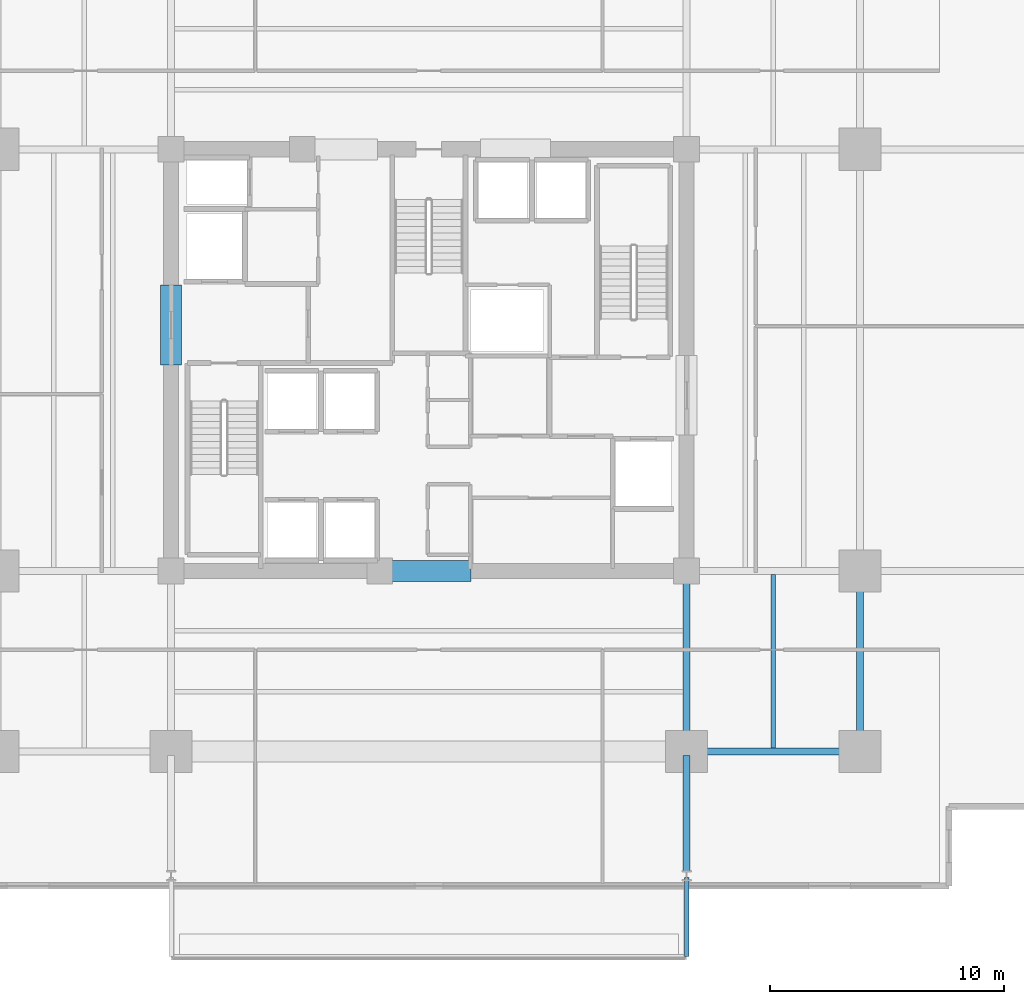
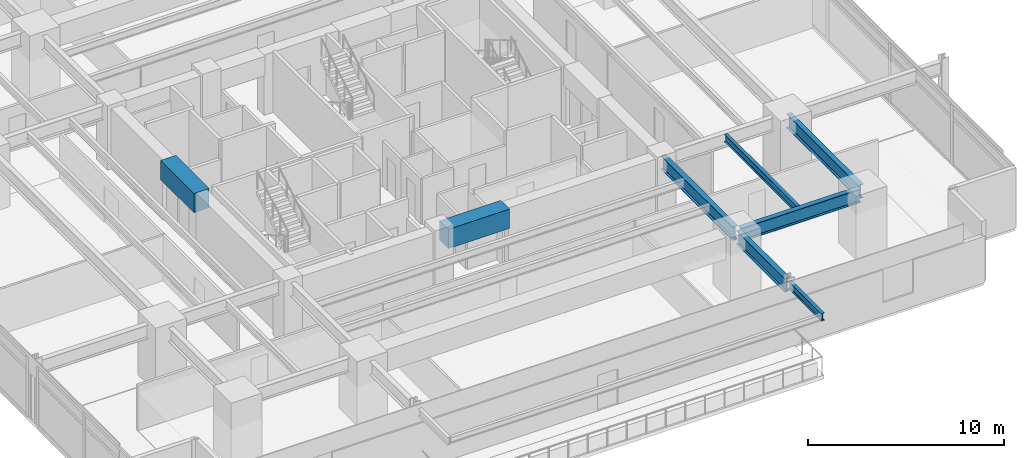
# One storey, part 7 of 25: 8 beams.
"""IFC4 building model written with IfcOpenShell, lengths in metres."""

from ifc_helpers import new_model, si_unit, direction, frame, origin, origin_2d, place, context, subcontext, project, spatial, rectangle, i_section, extrude, material, material_profile, profile_set, type_object, element, save


model = new_model("IFC4")

# Units and contexts
model_context = context("Model", 3, precision=1e-05, world=origin(), true_north=direction((0.0, 1.0)))
body_context = subcontext(model_context, "Body", "Model", "MODEL_VIEW")
ifc_project = project(units=[si_unit("LENGTHUNIT", "METRE"), si_unit("AREAUNIT", "SQUARE_METRE"), si_unit("VOLUMEUNIT", "CUBIC_METRE"), si_unit("PLANEANGLEUNIT", "RADIAN"), si_unit("MASSUNIT", "GRAM", prefix="KILO")], contexts=[model_context])

# Site, building, storey
site_placement = place(None, origin())
site = spatial("IfcSite", under=ifc_project, at=site_placement, CompositionType="ELEMENT")
building_placement = place(site_placement, origin())
building = spatial("IfcBuilding", under=site, at=building_placement, Name="Kovane Verandah Tower", CompositionType="ELEMENT")
storey_placement = place(building_placement, frame((0.0, 0.0, 67.60009765625)))
storey = spatial("IfcBuildingStorey", under=building, at=storey_placement, Name="L15", CompositionType="ELEMENT", Elevation=67.60009765625)

# Beams
ifc_material_1 = material(Name="Concrete C80/95", Category="concrete")
ifc_material_profile_1 = material_profile(ifc_material_1, rectangle(XDim=0.89990234375, YDim=1.199951171875, at=origin_2d()), Name="RCB900x1200")
ifc_profile_set_1 = profile_set([ifc_material_profile_1], Name="Concrete C80/95")
beam_type_1 = type_object("IfcBeamType", Name="BM-LINTEL-900x1200", PredefinedType="LINTEL", material=ifc_profile_set_1)
beam_1_placement = place(storey_placement, frame((38.199951171875, 18.5, 3.159912109375), z_axis=(1.0, 0.0, 0.0), x_axis=(0.0, 1.0, 0.0)))
element("IfcBeam", 1, at=beam_1_placement, inside=storey, type_object=beam_type_1, Name="L15 Core Coupling Lintel CL-S", PredefinedType="LINTEL", context=body_context, shape_type="SweptSolid", body=[
    extrude(rectangle(XDim=0.89990234375, YDim=1.199951171875, at=origin_2d()), origin(), (0.0, 0.0, 1.0), 3.60009765625),
])
beam_2_placement = place(storey_placement, frame((29.0, 27.300048828125, 3.159912109375), z_axis=(0.0, 1.0, 0.0), x_axis=(-1.0, 0.0, 0.0)))
element("IfcBeam", 2, at=beam_2_placement, inside=storey, type_object=beam_type_1, Name="L15 Core Coupling Lintel CL-W", PredefinedType="LINTEL", context=body_context, shape_type="SweptSolid", body=[
    extrude(rectangle(XDim=0.89990234375, YDim=1.199951171875, at=origin_2d()), origin(), (0.0, 0.0, 1.0), 3.39990234375),
])
ifc_material_2 = material(Name="Steel S355", Category="steel")
ifc_material_profile_2 = material_profile(ifc_material_2, i_section(OverallWidth=0.293701171875, OverallDepth=0.850830078125, WebThickness=0.01611328125, FlangeThickness=0.02685546875, FilletRadius=0.017822265625, at=origin_2d()), Name="UB838x292x226")
ifc_profile_set_2 = profile_set([ifc_material_profile_2], Name="Steel S355")
beam_type_2 = type_object("IfcBeamType", Name="BM-UB838x226", PredefinedType="BEAM", material=ifc_profile_set_2)
beam_3_placement = place(storey_placement, frame((51.179931640625, 10.800048828125, 3.33447265625), z_axis=(1.0, 0.0, 0.0), x_axis=(0.0, 1.0, 0.0)))
element("IfcBeam", 3, at=beam_3_placement, inside=storey, type_object=beam_type_2, Name="L15 Primary Tower Girder G-RS3", PredefinedType="BEAM", context=body_context, shape_type="SweptSolid", body=[
    extrude(i_section(OverallWidth=0.293701171875, OverallDepth=0.850830078125, WebThickness=0.01611328125, FlangeThickness=0.02685546875, FilletRadius=0.017822265625, at=origin_2d()), origin(), (0.0, 0.0, 1.0), 7.0400390625),
])
for number, where, z_axis, x_axis, name in (
    (4, (58.39990234375, 10.97998046875, 3.33447265625), (0.0, 1.0, 0.0), (-1.0, 0.0, 0.0), "L15 Primary Tower Girder G-RE1"),
    (5, (51.0, 18.320068359375, 3.33447265625), (0.0, -1.0, 0.0), (1.0, 0.0, 0.0), "L15 Primary Tower Girder G-S2"),
):
    element("IfcBeam", number, at=place(storey_placement, frame(where, z_axis=z_axis, x_axis=x_axis)), inside=storey, type_object=beam_type_2, Name=name, PredefinedType="BEAM", context=body_context, shape_type="SweptSolid", body=[
        extrude(i_section(OverallWidth=0.293701171875, OverallDepth=0.850830078125, WebThickness=0.01611328125, FlangeThickness=0.02685546875, FilletRadius=0.017822265625, at=origin_2d()), origin(), (0.0, 0.0, 1.0), 7.340087890625),
    ])
beam_4_placement = place(storey_placement, frame((51.0, 10.6201171875, 3.33447265625), z_axis=(0.0, -1.0, 0.0), x_axis=(1.0, 0.0, 0.0)))
element("IfcBeam", 6, at=beam_4_placement, inside=storey, type_object=beam_type_2, Name="L15 Primary Tower Girder G-VS2", PredefinedType="BEAM", context=body_context, shape_type="SweptSolid", body=[
    extrude(i_section(OverallWidth=0.293701171875, OverallDepth=0.850830078125, WebThickness=0.01611328125, FlangeThickness=0.02685546875, FilletRadius=0.017822265625, at=origin_2d()), origin(), (0.0, 0.0, 1.0), 4.940185546875),
])
ifc_material_profile_3 = material_profile(ifc_material_2, i_section(OverallWidth=0.19287109375, OverallDepth=0.46728515625, WebThickness=0.011474609375, FlangeThickness=0.01953125, FilletRadius=0.01025390625, at=origin_2d()), Name="UB457x191x98")
ifc_profile_set_3 = profile_set([ifc_material_profile_3], Name="Steel S355")
beam_type_3 = type_object("IfcBeamType", Name="JST-UB457x98", PredefinedType="JOIST", material=ifc_profile_set_3)
beam_5_placement = place(storey_placement, frame((54.699951171875, 10.94482421875, 3.5263671875), z_axis=(0.0, 1.0, 0.0), x_axis=(-1.0, 0.0, 0.0)))
element("IfcBeam", 7, at=beam_5_placement, inside=storey, type_object=beam_type_3, Name="L15 Secondary Composite Joist J-SE1", PredefinedType="JOIST", context=body_context, shape_type="SweptSolid", body=[
    extrude(i_section(OverallWidth=0.19287109375, OverallDepth=0.46728515625, WebThickness=0.011474609375, FlangeThickness=0.01953125, FilletRadius=0.01025390625, at=origin_2d()), origin(), (0.0, 0.0, 1.0), 7.41015625),
])
beam_6_placement = place(storey_placement, frame((51.0, 5.419921875, 3.5263671875), z_axis=(0.0, -1.0, 0.0), x_axis=(1.0, 0.0, 0.0)))
element("IfcBeam", 8, at=beam_6_placement, inside=storey, type_object=beam_type_3, Name="L15 South Planter Girder 2", PredefinedType="JOIST", context=body_context, shape_type="SweptSolid", body=[
    extrude(i_section(OverallWidth=0.19287109375, OverallDepth=0.46728515625, WebThickness=0.011474609375, FlangeThickness=0.01953125, FilletRadius=0.01025390625, at=origin_2d()), origin(), (0.0, 0.0, 1.0), 3.370361328125),
])

save(model, "model.ifc")
